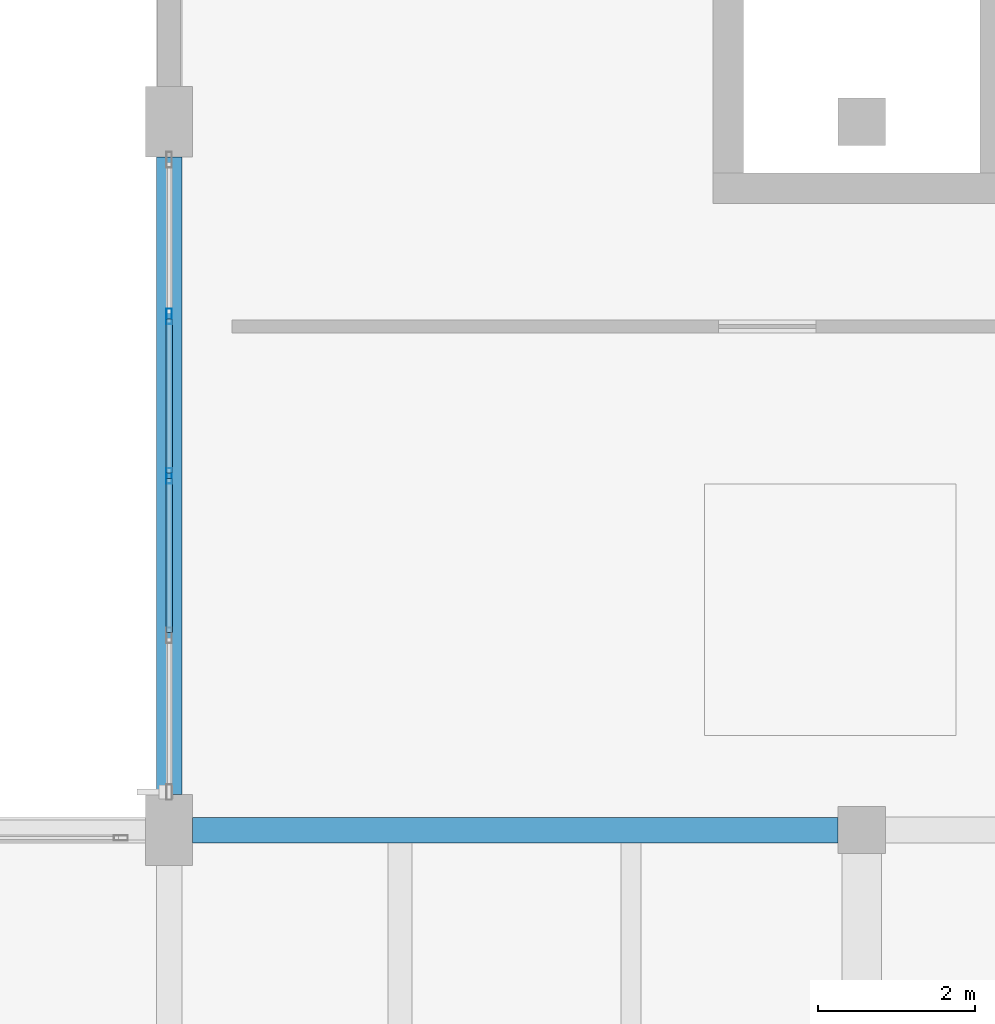
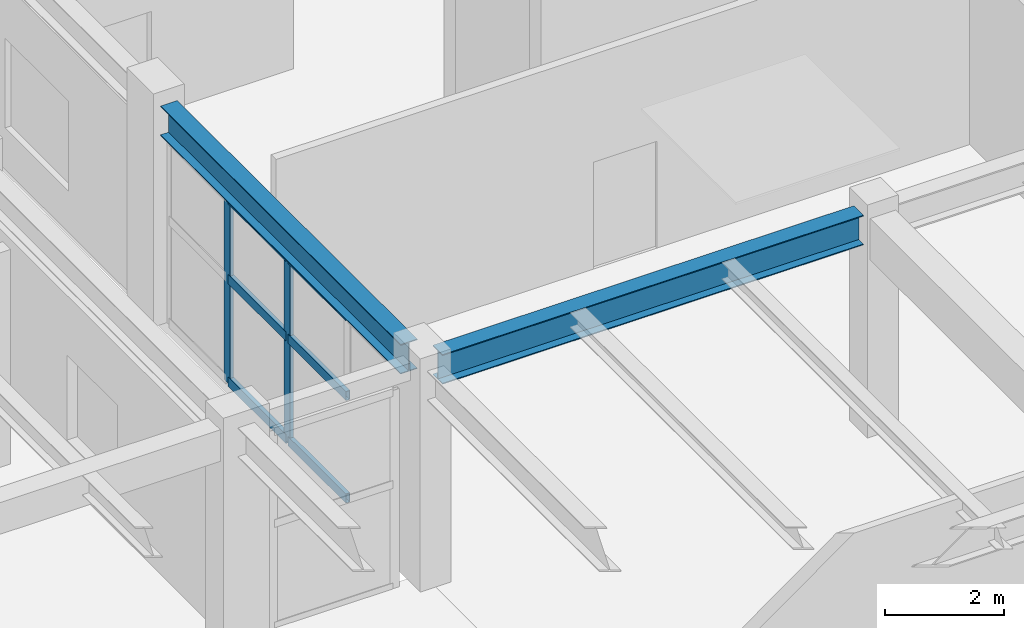
# One storey, part 33 of 85: 8 members, 2 beams, 1 element without a shape of its own.
"""IFC4 building model written with IfcOpenShell, lengths in metres."""

from ifc_helpers import new_model, si_unit, direction, frame, origin, origin_2d, place, context, subcontext, project, spatial, hollow_rectangle, i_section, extrude, material, layer, layer_set, material_profile, profile_set, type_object, element, aggregate, save


model = new_model("IFC4")

# Units and contexts
model_context = context("Model", 3, precision=1e-05, world=origin(), true_north=direction((0.0, 1.0)))
body_context = subcontext(model_context, "Body", "Model", "MODEL_VIEW")
ifc_project = project(units=[si_unit("LENGTHUNIT", "METRE"), si_unit("AREAUNIT", "SQUARE_METRE"), si_unit("VOLUMEUNIT", "CUBIC_METRE"), si_unit("PLANEANGLEUNIT", "RADIAN"), si_unit("MASSUNIT", "GRAM", prefix="KILO")], contexts=[model_context])

# Site, building, storey
site_placement = place(None, origin())
site = spatial("IfcSite", under=ifc_project, at=site_placement, CompositionType="ELEMENT")
building_placement = place(site_placement, origin())
building = spatial("IfcBuilding", under=site, at=building_placement, Name="Vaelkrest Opera House", CompositionType="ELEMENT")
storey_placement = place(building_placement, frame((0.0, 0.0, 10.199951171875)))
storey = spatial("IfcBuildingStorey", under=building, at=storey_placement, Name="L02", CompositionType="ELEMENT", Elevation=10.199951171875)

# Beam
ifc_material_1 = material(Name="Steel A992 Gr50", Category="steel")
ifc_material_profile_1 = material_profile(ifc_material_1, i_section(OverallWidth=0.323974609375, OverallDepth=0.611083984375, WebThickness=0.0126953125, FlangeThickness=0.01904296875, at=origin_2d()), Name="W24X104")
ifc_profile_set_1 = profile_set([ifc_material_profile_1], Name="Steel A992 Gr50")
beam_type_1 = type_object("IfcBeamType", Name="B08", PredefinedType="BEAM", material=ifc_profile_set_1)
beam_1_placement = place(storey_placement, frame((33.89990234375, 1.199951171875, 4.199462890625), z_axis=(1.0, 0.0, 0.0), x_axis=(0.0, 1.0, 0.0)))
element("IfcBeam", 1, at=beam_1_placement, inside=storey, type_object=beam_type_1, Name="Beam BM-V4-L02-2265", PredefinedType="BEAM", context=body_context, shape_type="SweptSolid", body=[
    extrude(i_section(OverallWidth=0.323974609375, OverallDepth=0.611083984375, WebThickness=0.0126953125, FlangeThickness=0.01904296875, at=origin_2d()), origin(), (0.0, 0.0, 1.0), 8.2001953125),
])

# Curtain wall, members
ifc_material_2 = material(Name="Dark bronze anodized aluminium", Category="aluminium")
ifc_layer = layer(ifc_material_2, 0.22998046875)
ifc_layer_set = layer_set([ifc_layer], Name="Dark bronze anodized aluminium")
curtain_wall_type = type_object("IfcCurtainWallType", Name="CW06", PredefinedType="NOTDEFINED", material=ifc_layer_set)
curtain_wall_placement = place(storey_placement, origin())
curtain_wall = element("IfcCurtainWall", 2, at=curtain_wall_placement, inside=storey, type_object=curtain_wall_type, Name="Curtain wall CW-L02-162", PredefinedType="NOTDEFINED")
ifc_material_profile_2 = material_profile(ifc_material_2, hollow_rectangle(XDim=0.070068359375, YDim=0.199951171875, WallThickness=0.004150390625, at=origin_2d()), Name="CWM70X200")
ifc_profile_set_2 = profile_set([ifc_material_profile_2], Name="Dark bronze anodized aluminium")
member_type_1 = type_object("IfcMemberType", Name="CWM02", PredefinedType="MULLION", material=ifc_profile_set_2)
member_1_placement = place(storey_placement, frame((33.60009765625, 5.699951171875, 0.0), z_axis=(0.0, 0.0, 1.0), x_axis=(-1.0, 0.0, 0.0)))
member_1 = element("IfcMember", 3, at=member_1_placement, type_object=member_type_1, Name="CW06 mullion 3", PredefinedType="MULLION", context=body_context, shape_type="SweptSolid", body=[
    extrude(hollow_rectangle(XDim=0.070068359375, YDim=0.199951171875, WallThickness=0.004150390625, at=origin_2d()), origin(), (0.0, 0.0, 1.0), 3.8291015625),
])
member_2_placement = place(storey_placement, frame((33.60009765625, 7.72607421875, 0.0), z_axis=(0.0, 0.0, 1.0), x_axis=(-1.0, 0.0, 0.0)))
member_2 = element("IfcMember", 4, at=member_2_placement, type_object=member_type_1, Name="CW06 mullion 4", PredefinedType="MULLION", context=body_context, shape_type="SweptSolid", body=[
    extrude(hollow_rectangle(XDim=0.070068359375, YDim=0.199951171875, WallThickness=0.004150390625, at=origin_2d()), origin(), (0.0, 0.0, 1.0), 3.8291015625),
])
ifc_material_profile_3 = material_profile(ifc_material_2, hollow_rectangle(XDim=0.080078125, YDim=0.18994140625, WallThickness=0.0048828125, at=origin_2d()), Name="CWT80X190")
ifc_profile_set_3 = profile_set([ifc_material_profile_3], Name="Dark bronze anodized aluminium")
member_type_2 = type_object("IfcMemberType", Name="CWT04", PredefinedType="USERDEFINED", material=ifc_profile_set_3)
member_3_placement = place(storey_placement, frame((33.60009765625, 3.708984375, 0.0400390625), z_axis=(0.0, 1.0, 0.0), x_axis=(-1.0, 0.0, 0.0)))
member_3 = element("IfcMember", 5, at=member_3_placement, type_object=member_type_2, Name="CW06 transom 2.1", ObjectType="TRANSOM", PredefinedType="USERDEFINED", context=body_context, shape_type="SweptSolid", body=[
    extrude(hollow_rectangle(XDim=0.080078125, YDim=0.18994140625, WallThickness=0.0048828125, at=origin_2d()), origin(), (0.0, 0.0, 1.0), 1.9560546875),
])
member_4_placement = place(storey_placement, frame((33.60009765625, 3.708984375, 2.150146484375), z_axis=(0.0, 1.0, 0.0), x_axis=(-1.0, 0.0, 0.0)))
member_4 = element("IfcMember", 6, at=member_4_placement, type_object=member_type_2, Name="CW06 transom 2.2", ObjectType="TRANSOM", PredefinedType="USERDEFINED", context=body_context, shape_type="SweptSolid", body=[
    extrude(hollow_rectangle(XDim=0.080078125, YDim=0.18994140625, WallThickness=0.0048828125, at=origin_2d()), origin(), (0.0, 0.0, 1.0), 1.9560546875),
])
member_5_placement = place(storey_placement, frame((33.60009765625, 3.708984375, 3.7890625), z_axis=(0.0, 1.0, 0.0), x_axis=(-1.0, 0.0, 0.0)))
member_5 = element("IfcMember", 7, at=member_5_placement, type_object=member_type_2, Name="CW06 transom 2.3", ObjectType="TRANSOM", PredefinedType="USERDEFINED", context=body_context, shape_type="SweptSolid", body=[
    extrude(hollow_rectangle(XDim=0.080078125, YDim=0.18994140625, WallThickness=0.0048828125, at=origin_2d()), origin(), (0.0, 0.0, 1.0), 1.9560546875),
])
member_6_placement = place(storey_placement, frame((33.60009765625, 5.735107421875, 0.0400390625), z_axis=(0.0, 1.0, 0.0), x_axis=(-1.0, 0.0, 0.0)))
member_6 = element("IfcMember", 8, at=member_6_placement, type_object=member_type_2, Name="CW06 transom 3.1", ObjectType="TRANSOM", PredefinedType="USERDEFINED", context=body_context, shape_type="SweptSolid", body=[
    extrude(hollow_rectangle(XDim=0.080078125, YDim=0.18994140625, WallThickness=0.0048828125, at=origin_2d()), origin(), (0.0, 0.0, 1.0), 1.955810546875),
])
member_7_placement = place(storey_placement, frame((33.60009765625, 5.735107421875, 2.150146484375), z_axis=(0.0, 1.0, 0.0), x_axis=(-1.0, 0.0, 0.0)))
member_7 = element("IfcMember", 9, at=member_7_placement, type_object=member_type_2, Name="CW06 transom 3.2", ObjectType="TRANSOM", PredefinedType="USERDEFINED", context=body_context, shape_type="SweptSolid", body=[
    extrude(hollow_rectangle(XDim=0.080078125, YDim=0.18994140625, WallThickness=0.0048828125, at=origin_2d()), origin(), (0.0, 0.0, 1.0), 1.955810546875),
])
member_8_placement = place(storey_placement, frame((33.60009765625, 5.735107421875, 3.7890625), z_axis=(0.0, 1.0, 0.0), x_axis=(-1.0, 0.0, 0.0)))
member_8 = element("IfcMember", 10, at=member_8_placement, type_object=member_type_2, Name="CW06 transom 3.3", ObjectType="TRANSOM", PredefinedType="USERDEFINED", context=body_context, shape_type="SweptSolid", body=[
    extrude(hollow_rectangle(XDim=0.080078125, YDim=0.18994140625, WallThickness=0.0048828125, at=origin_2d()), origin(), (0.0, 0.0, 1.0), 1.955810546875),
])
aggregate(curtain_wall, [member_1, member_2, member_3, member_4, member_5, member_6, member_7, member_8])

# Beam
ifc_material_profile_4 = material_profile(ifc_material_1, i_section(OverallWidth=0.323974609375, OverallDepth=0.611083984375, WebThickness=0.0126953125, FlangeThickness=0.01904296875, at=origin_2d()), Name="W24X104")
ifc_profile_set_4 = profile_set([ifc_material_profile_4], Name="Steel A992 Gr50")
beam_type_2 = type_object("IfcBeamType", Name="SP01", PredefinedType="SPANDREL", material=ifc_profile_set_4)
beam_2_placement = place(storey_placement, frame((33.60009765625, 1.64990234375, 4.199462890625), z_axis=(0.0, 1.0, 0.0), x_axis=(-1.0, 0.0, 0.0)))
element("IfcBeam", 11, at=beam_2_placement, inside=storey, type_object=beam_type_2, Name="Beam BM-V4-L02-2283", PredefinedType="SPANDREL", context=body_context, shape_type="SweptSolid", body=[
    extrude(i_section(OverallWidth=0.323974609375, OverallDepth=0.611083984375, WebThickness=0.0126953125, FlangeThickness=0.01904296875, at=origin_2d()), origin(), (0.0, 0.0, 1.0), 8.10009765625),
])

save(model, "model.ifc")
